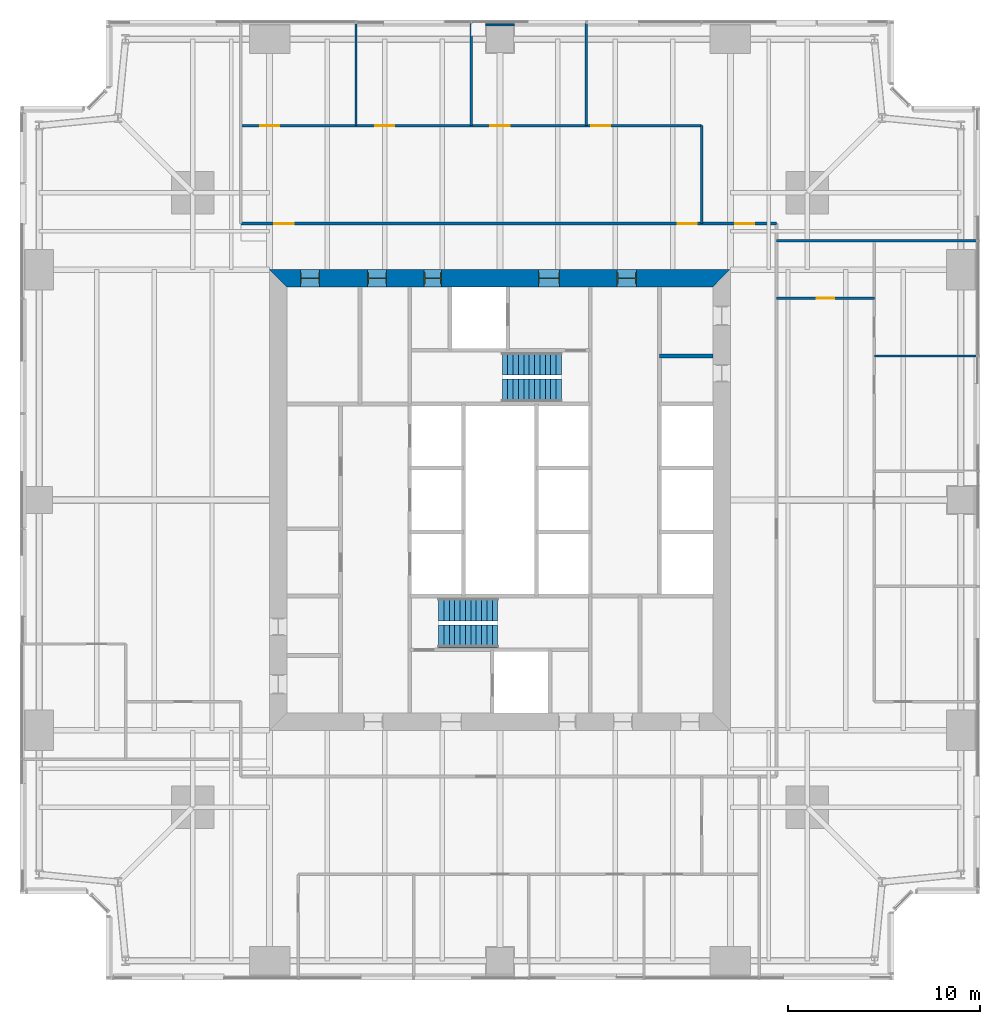
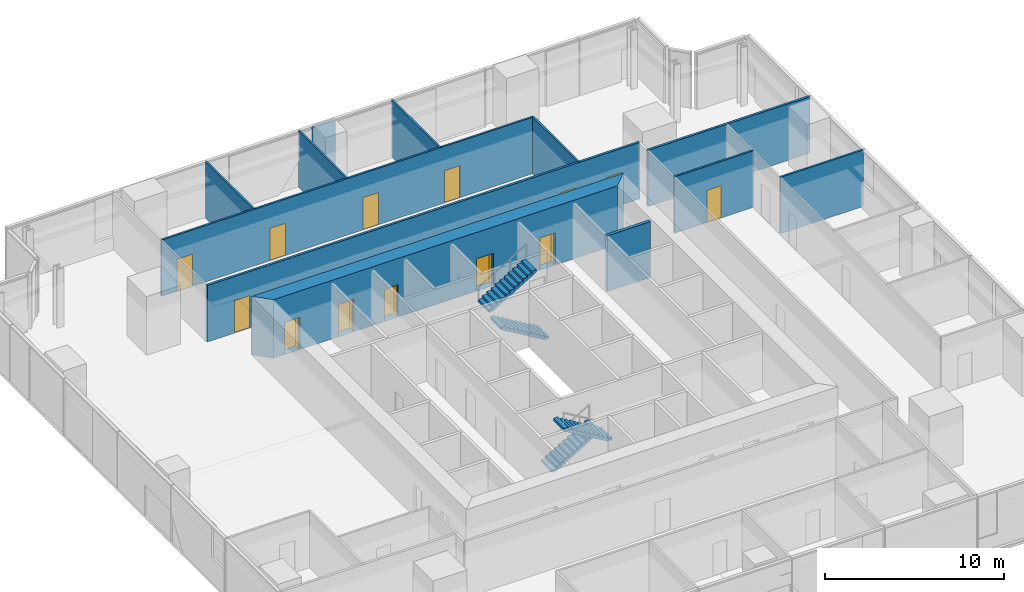
# One storey, part 11 of 13: 13 doors, 12 walls, 4 stair flights, 13 openings, 2 elements without a shape of their own.
"""IFC4 building model written with IfcOpenShell, lengths in metres."""

from ifc_helpers import new_model, si_unit, direction, frame, frame_2d, origin, place, context, subcontext, project, spatial, polyline, rectangle, outline, extrude, material, layer, layer_set, type_object, element, fill, aggregate, save


model = new_model("IFC4")

# Units and contexts
model_context = context("Model", 3, precision=1e-05, world=origin(), true_north=direction((0.0, 1.0)))
body_context = subcontext(model_context, "Body", "Model", "MODEL_VIEW")
ifc_project = project(units=[si_unit("LENGTHUNIT", "METRE"), si_unit("AREAUNIT", "SQUARE_METRE"), si_unit("VOLUMEUNIT", "CUBIC_METRE"), si_unit("PLANEANGLEUNIT", "RADIAN"), si_unit("MASSUNIT", "GRAM", prefix="KILO")], contexts=[model_context])

# Site, building, storey
site_placement = place(None, origin())
site = spatial("IfcSite", under=ifc_project, at=site_placement, CompositionType="ELEMENT")
building_placement = place(site_placement, origin())
building = spatial("IfcBuilding", under=site, at=building_placement, Name="Fenwick Lantern Interchange", CompositionType="ELEMENT")
storey_placement = place(building_placement, frame((0.0, 0.0, 106.39990234375)))
storey = spatial("IfcBuildingStorey", under=building, at=storey_placement, Name="L24", CompositionType="ELEMENT", Elevation=106.39990234375)

# Walls
ifc_material_1 = material(Name="Fire-rated gypsum board encasement on steel studs, 2 hour", Category="steel")
ifc_layer_1 = layer(ifc_material_1, 1.5)
ifc_layer_set_1 = layer_set([ifc_layer_1], Name="COLUMN PIER 1500")
wall_type_1 = type_object("IfcWallType", Name="COLUMN PIER 1500", PredefinedType="PARTITIONING", material=ifc_layer_set_1)
wall_1_placement = place(storey_placement, frame((25.0, 49.800048828125, 0.0), z_axis=(0.0, 0.0, 1.0), x_axis=(0.0, -1.0, 0.0)))
element("IfcWall", 1, at=wall_1_placement, inside=storey, type_object=wall_type_1, Name="L24/W/PIER/CN3", PredefinedType="PARTITIONING", context=body_context, shape_type="SweptSolid", body=[
    extrude(rectangle(XDim=0.10009765625, YDim=1.5, at=frame_2d((0.050048828125, 0.0))), origin(), (0.0, 0.0, 1.0), 3.85009765625),
])
ifc_material_2 = material(Name="Concrete masonry ASTM C90 Grade N", Category="masonry")
ifc_layer_2 = layer(ifc_material_2, 0.199951171875)
ifc_layer_set_2 = layer_set([ifc_layer_2], Name="Concrete masonry ASTM C90 Grade N")
wall_type_2 = type_object("IfcWallType", Name="CORE PARTITION 200", PredefinedType="PARTITIONING", material=ifc_layer_set_2)
wall_2_placement = place(storey_placement, frame((36.10009765625, 32.5, 0.0), z_axis=(0.0, 0.0, 1.0), x_axis=(-1.0, 0.0, 0.0)))
element("IfcWall", 2, at=wall_2_placement, inside=storey, type_object=wall_type_2, Name="L24/W/COREN/p1", PredefinedType="PARTITIONING", context=body_context, shape_type="SweptSolid", body=[
    extrude(rectangle(XDim=2.800048828125, YDim=0.199951171875, at=frame_2d((1.39990234375, 0.0))), origin(), (0.0, 0.0, 1.0), 3.800048828125),
])

# Wall, openings, doors
ifc_material_3 = material(Name="Concrete f'c 70 MPa", Category="concrete")
ifc_layer_3 = layer(ifc_material_3, 0.89990234375)
ifc_layer_set_3 = layer_set([ifc_layer_3], Name="CORE WALL 900")
wall_type_3 = type_object("IfcWallType", Name="CORE WALL 900", PredefinedType="SHEAR", material=ifc_layer_set_3)
wall_3_placement = place(storey_placement, frame((37.0, 36.550048828125, 0.0), z_axis=(0.0, 0.0, 1.0), x_axis=(-1.0, 0.0, 0.0)))
wall_3 = element("IfcWall", 3, at=wall_3_placement, inside=storey, type_object=wall_type_3, Name="L24/CORE/N", PredefinedType="SHEAR", context=body_context, shape_type="SweptSolid", body=[
    extrude(outline(polyline([(0.0, -0.449951171875), (24.0, -0.449951171875), (23.10009765625, 0.449951171875), (0.89990234375, 0.449951171875), (0.0, -0.449951171875)])), origin(), (0.0, 0.0, 1.0), 4.0),
])
opening_1_placement = place(wall_3_placement, frame((4.89990234375, 0.0, 0.0)))
opening_1 = element("IfcOpeningElement", 4, at=opening_1_placement, cuts=wall_3, Name="Opening L24-D011", PredefinedType="OPENING", context=body_context, shape_type="SweptSolid", body=[
    extrude(rectangle(XDim=1.0, YDim=2.199951171875, at=frame_2d((0.5, 1.10009765625))), frame((0.0, 0.4599609375, 0.0), z_axis=(0.0, -1.0, 0.0), x_axis=(1.0, 0.0, 0.0)), (0.0, 0.0, 1.0), 0.919921875),
])
opening_2_placement = place(wall_3_placement, frame((8.89990234375, 0.0, 0.0)))
opening_2 = element("IfcOpeningElement", 5, at=opening_2_placement, cuts=wall_3, Name="Opening L24-D012", PredefinedType="OPENING", context=body_context, shape_type="SweptSolid", body=[
    extrude(rectangle(XDim=1.10009765625, YDim=2.199951171875, at=frame_2d((0.550048828125, 1.10009765625))), frame((0.0, 0.4599609375, 0.0), z_axis=(0.0, -1.0, 0.0), x_axis=(1.0, 0.0, 0.0)), (0.0, 0.0, 1.0), 0.919921875),
])
opening_3_placement = place(wall_3_placement, frame((15.050048828125, 0.0, 0.0)))
opening_3 = element("IfcOpeningElement", 6, at=opening_3_placement, cuts=wall_3, Name="Opening L24-D014", PredefinedType="OPENING", context=body_context, shape_type="SweptSolid", body=[
    extrude(rectangle(XDim=0.89990234375, YDim=2.199951171875, at=frame_2d((0.449951171875, 1.10009765625))), frame((0.0, 0.4599609375, 0.0), z_axis=(0.0, -1.0, 0.0), x_axis=(1.0, 0.0, 0.0)), (0.0, 0.0, 1.0), 0.919921875),
])
opening_4_placement = place(wall_3_placement, frame((17.89990234375, 0.0, 0.0)))
opening_4 = element("IfcOpeningElement", 7, at=opening_4_placement, cuts=wall_3, Name="Opening L24-D015", PredefinedType="OPENING", context=body_context, shape_type="SweptSolid", body=[
    extrude(rectangle(XDim=1.0, YDim=2.199951171875, at=frame_2d((0.5, 1.10009765625))), frame((0.0, 0.4599609375, 0.0), z_axis=(0.0, -1.0, 0.0), x_axis=(1.0, 0.0, 0.0)), (0.0, 0.0, 1.0), 0.919921875),
])
opening_5_placement = place(wall_3_placement, frame((21.39990234375, 0.0, 0.0)))
opening_5 = element("IfcOpeningElement", 8, at=opening_5_placement, cuts=wall_3, Name="Opening L24-D016", PredefinedType="OPENING", context=body_context, shape_type="SweptSolid", body=[
    extrude(rectangle(XDim=1.0, YDim=2.199951171875, at=frame_2d((0.5, 1.10009765625))), frame((0.0, 0.4599609375, 0.0), z_axis=(0.0, -1.0, 0.0), x_axis=(1.0, 0.0, 0.0)), (0.0, 0.0, 1.0), 0.919921875),
])
ifc_material_4 = material(Name="Steel door and frame", Category="steel")
door_type_1 = type_object("IfcDoorType", Name="CORE LOBBY DOOR 1000 X 2200", OperationType="SINGLE_SWING_LEFT", PredefinedType="DOOR", material=ifc_material_4)
door_1_placement = place(opening_1_placement, origin())
door_1 = element("IfcDoor", 9, at=door_1_placement, inside=storey, type_object=door_type_1, Name="Core lobby door", OperationType="SINGLE_SWING_LEFT", OverallHeight=2.199951171875, OverallWidth=1.0, PredefinedType="DOOR", context=body_context, shape_type="SweptSolid", body=[
    extrude(rectangle(XDim=1.0, YDim=2.199951171875, at=frame_2d((0.5, 1.10009765625))), frame((0.0, 0.02490234375, 0.0), z_axis=(0.0, -1.0, 0.0), x_axis=(1.0, 0.0, 0.0)), (0.0, 0.0, 1.0), 0.050048828125),
    extrude(outline(polyline([(0.0, 0.0), (0.0400390625, 0.0), (0.0400390625, 2.159912109375), (0.9599609375, 2.159912109375), (0.9599609375, 0.0), (1.0, 0.0), (1.0, 2.199951171875), (0.0, 2.199951171875), (0.0, 0.0)])), frame((0.0, 0.300048828125, 0.0), z_axis=(0.0, -1.0, 0.0), x_axis=(1.0, 0.0, 0.0)), (0.0, 0.0, 1.0), 0.60009765625),
])
fill(opening_1, door_1)
door_type_2 = type_object("IfcDoorType", Name="FIRE LOBBY DOOR 1100 X 2200", OperationType="SINGLE_SWING_LEFT", PredefinedType="DOOR", material=ifc_material_4)
door_2_placement = place(opening_2_placement, origin())
door_2 = element("IfcDoor", 10, at=door_2_placement, inside=storey, type_object=door_type_2, Name="Fire lobby door", OperationType="SINGLE_SWING_LEFT", OverallHeight=2.199951171875, OverallWidth=1.10009765625, PredefinedType="DOOR", context=body_context, shape_type="SweptSolid", body=[
    extrude(rectangle(XDim=1.10009765625, YDim=2.199951171875, at=frame_2d((0.550048828125, 1.10009765625))), frame((0.0, 0.02490234375, 0.0), z_axis=(0.0, -1.0, 0.0), x_axis=(1.0, 0.0, 0.0)), (0.0, 0.0, 1.0), 0.050048828125),
    extrude(outline(polyline([(0.0, 0.0), (0.0400390625, 0.0), (0.0400390625, 2.159912109375), (1.06005859375, 2.159912109375), (1.06005859375, 0.0), (1.10009765625, 0.0), (1.10009765625, 2.199951171875), (0.0, 2.199951171875), (0.0, 0.0)])), frame((0.0, 0.300048828125, 0.0), z_axis=(0.0, -1.0, 0.0), x_axis=(1.0, 0.0, 0.0)), (0.0, 0.0, 1.0), 0.60009765625),
])
fill(opening_2, door_2)
door_type_3 = type_object("IfcDoorType", Name="SERVICE DOOR 900 X 2200", OperationType="SINGLE_SWING_LEFT", PredefinedType="DOOR", material=ifc_material_4)
door_3_placement = place(opening_3_placement, origin())
door_3 = element("IfcDoor", 11, at=door_3_placement, inside=storey, type_object=door_type_3, Name="Service door", OperationType="SINGLE_SWING_LEFT", OverallHeight=2.199951171875, OverallWidth=0.89990234375, PredefinedType="DOOR", context=body_context, shape_type="SweptSolid", body=[
    extrude(rectangle(XDim=0.89990234375, YDim=2.199951171875, at=frame_2d((0.449951171875, 1.10009765625))), frame((0.0, 0.02490234375, 0.0), z_axis=(0.0, -1.0, 0.0), x_axis=(1.0, 0.0, 0.0)), (0.0, 0.0, 1.0), 0.050048828125),
    extrude(outline(polyline([(0.0, 0.0), (0.0400390625, 0.0), (0.0400390625, 2.159912109375), (0.85986328125, 2.159912109375), (0.85986328125, 0.0), (0.89990234375, 0.0), (0.89990234375, 2.199951171875), (0.0, 2.199951171875), (0.0, 0.0)])), frame((0.0, 0.300048828125, 0.0), z_axis=(0.0, -1.0, 0.0), x_axis=(1.0, 0.0, 0.0)), (0.0, 0.0, 1.0), 0.60009765625),
])
fill(opening_3, door_3)
ifc_material_5 = material(Name="Hardwood door and steel frame", Category="steel")
door_type_4 = type_object("IfcDoorType", Name="WC DOOR 1000 X 2200", OperationType="SINGLE_SWING_LEFT", PredefinedType="DOOR", material=ifc_material_5)
door_4_placement = place(opening_4_placement, origin())
door_4 = element("IfcDoor", 12, at=door_4_placement, inside=storey, type_object=door_type_4, Name="Wc door", OperationType="SINGLE_SWING_RIGHT", OverallHeight=2.199951171875, OverallWidth=1.0, PredefinedType="DOOR", context=body_context, shape_type="SweptSolid", body=[
    extrude(rectangle(XDim=1.0, YDim=2.199951171875, at=frame_2d((0.5, 1.10009765625))), frame((0.0, 0.02490234375, 0.0), z_axis=(0.0, -1.0, 0.0), x_axis=(1.0, 0.0, 0.0)), (0.0, 0.0, 1.0), 0.050048828125),
    extrude(outline(polyline([(0.0, 0.0), (0.0400390625, 0.0), (0.0400390625, 2.159912109375), (0.9599609375, 2.159912109375), (0.9599609375, 0.0), (1.0, 0.0), (1.0, 2.199951171875), (0.0, 2.199951171875), (0.0, 0.0)])), frame((0.0, 0.300048828125, 0.0), z_axis=(0.0, -1.0, 0.0), x_axis=(1.0, 0.0, 0.0)), (0.0, 0.0, 1.0), 0.60009765625),
])
fill(opening_4, door_4)
door_5_placement = place(opening_5_placement, origin())
door_5 = element("IfcDoor", 13, at=door_5_placement, inside=storey, type_object=door_type_4, Name="Wc door", OperationType="SINGLE_SWING_RIGHT", OverallHeight=2.199951171875, OverallWidth=1.0, PredefinedType="DOOR", context=body_context, shape_type="SweptSolid", body=[
    extrude(rectangle(XDim=1.0, YDim=2.199951171875, at=frame_2d((0.5, 1.10009765625))), frame((0.0, 0.02490234375, 0.0), z_axis=(0.0, -1.0, 0.0), x_axis=(1.0, 0.0, 0.0)), (0.0, 0.0, 1.0), 0.050048828125),
    extrude(outline(polyline([(0.0, 0.0), (0.0400390625, 0.0), (0.0400390625, 2.159912109375), (0.9599609375, 2.159912109375), (0.9599609375, 0.0), (1.0, 0.0), (1.0, 2.199951171875), (0.0, 2.199951171875), (0.0, 0.0)])), frame((0.0, 0.300048828125, 0.0), z_axis=(0.0, -1.0, 0.0), x_axis=(1.0, 0.0, 0.0)), (0.0, 0.0, 1.0), 0.60009765625),
])
fill(opening_5, door_5)

ifc_material_6 = material(Name="Gypsum board on steel studs, 1 hour", Category="steel")
ifc_layer_4 = layer(ifc_material_6, 0.14990234375)
ifc_layer_set_4 = layer_set([ifc_layer_4], Name="CORRIDOR WALL 150")
wall_type_4 = type_object("IfcWallType", Name="CORRIDOR WALL 150", PredefinedType="PARTITIONING", material=ifc_layer_set_4)
wall_4_placement = place(storey_placement, frame((39.39990234375, 39.39990234375, 0.0), z_axis=(0.0, 0.0, 1.0), x_axis=(-1.0, 0.0, 0.0)))
wall_4 = element("IfcWall", 14, at=wall_4_placement, inside=storey, type_object=wall_type_4, Name="L24/W/OFF/N/CW2", PredefinedType="PARTITIONING", context=body_context, shape_type="SweptSolid", body=[
    extrude(rectangle(XDim=27.89990234375, YDim=0.14990234375, at=frame_2d((13.949951171875, 0.0))), origin(), (0.0, 0.0, 1.0), 3.85009765625),
])
opening_6_placement = place(wall_4_placement, frame((4.14990234375, 0.0, 0.0)))
opening_6 = element("IfcOpeningElement", 15, at=opening_6_placement, cuts=wall_4, Name="Opening L24-D031", PredefinedType="OPENING", context=body_context, shape_type="SweptSolid", body=[
    extrude(rectangle(XDim=1.0, YDim=2.199951171875, at=frame_2d((0.5, 1.10009765625))), frame((0.0, 0.0849609375, 0.0), z_axis=(0.0, -1.0, 0.0), x_axis=(1.0, 0.0, 0.0)), (0.0, 0.0, 1.0), 0.169921875),
])
opening_7_placement = place(wall_4_placement, frame((25.14990234375, 0.0, 0.0)))
opening_7 = element("IfcOpeningElement", 16, at=opening_7_placement, cuts=wall_4, Name="Opening L24-D032", PredefinedType="OPENING", context=body_context, shape_type="SweptSolid", body=[
    extrude(rectangle(XDim=1.0, YDim=2.199951171875, at=frame_2d((0.5, 1.10009765625))), frame((0.0, 0.0849609375, 0.0), z_axis=(0.0, -1.0, 0.0), x_axis=(1.0, 0.0, 0.0)), (0.0, 0.0, 1.0), 0.169921875),
])
opening_8_placement = place(wall_4_placement, frame((1.14990234375, 0.0, 0.0)))
opening_8 = element("IfcOpeningElement", 17, at=opening_8_placement, cuts=wall_4, Name="Opening L24-D034", PredefinedType="OPENING", context=body_context, shape_type="SweptSolid", body=[
    extrude(rectangle(XDim=1.0, YDim=2.199951171875, at=frame_2d((0.5, 1.10009765625))), frame((0.0, 0.0849609375, 0.0), z_axis=(0.0, -1.0, 0.0), x_axis=(1.0, 0.0, 0.0)), (0.0, 0.0, 1.0), 0.169921875),
])
door_type_5 = type_object("IfcDoorType", Name="MEETING ROOM DOOR 1000 X 2200", OperationType="SINGLE_SWING_LEFT", PredefinedType="DOOR", material=ifc_material_5)
door_6_placement = place(opening_8_placement, origin())
door_6 = element("IfcDoor", 18, at=door_6_placement, inside=storey, type_object=door_type_5, Name="Meeting room door", OperationType="SINGLE_SWING_LEFT", OverallHeight=2.199951171875, OverallWidth=1.0, PredefinedType="DOOR", context=body_context, shape_type="SweptSolid", body=[
    extrude(rectangle(XDim=1.0, YDim=2.199951171875, at=frame_2d((0.5, 1.10009765625))), frame((0.0, 0.02490234375, 0.0), z_axis=(0.0, -1.0, 0.0), x_axis=(1.0, 0.0, 0.0)), (0.0, 0.0, 1.0), 0.050048828125),
])
fill(opening_8, door_6)
door_type_6 = type_object("IfcDoorType", Name="SUITE ENTRANCE DOOR 1000 X 2200", OperationType="SINGLE_SWING_LEFT", PredefinedType="DOOR", material=ifc_material_4)
door_7_placement = place(opening_6_placement, origin())
door_7 = element("IfcDoor", 19, at=door_7_placement, inside=storey, type_object=door_type_6, Name="Suite entrance door", OperationType="SINGLE_SWING_LEFT", OverallHeight=2.199951171875, OverallWidth=1.0, PredefinedType="DOOR", context=body_context, shape_type="SweptSolid", body=[
    extrude(rectangle(XDim=1.0, YDim=2.199951171875, at=frame_2d((0.5, 1.10009765625))), frame((0.0, 0.02490234375, 0.0), z_axis=(0.0, -1.0, 0.0), x_axis=(1.0, 0.0, 0.0)), (0.0, 0.0, 1.0), 0.050048828125),
])
fill(opening_6, door_7)
door_8_placement = place(opening_7_placement, origin())
door_8 = element("IfcDoor", 20, at=door_8_placement, inside=storey, type_object=door_type_6, Name="Suite entrance door", OperationType="SINGLE_SWING_RIGHT", OverallHeight=2.199951171875, OverallWidth=1.0, PredefinedType="DOOR", context=body_context, shape_type="SweptSolid", body=[
    extrude(rectangle(XDim=1.0, YDim=2.199951171875, at=frame_2d((0.5, 1.10009765625))), frame((0.0, 0.02490234375, 0.0), z_axis=(0.0, -1.0, 0.0), x_axis=(1.0, 0.0, 0.0)), (0.0, 0.0, 1.0), 0.050048828125),
])
fill(opening_7, door_8)

# Wall
ifc_material_7 = material(Name="Gypsum board on steel studs, acoustic", Category="steel")
ifc_layer_5 = layer(ifc_material_7, 0.125)
ifc_layer_set_5 = layer_set([ifc_layer_5], Name="OFFICE PARTITION 125")
wall_type_5 = type_object("IfcWallType", Name="OFFICE PARTITION 125", PredefinedType="PARTITIONING", material=ifc_layer_set_5)
wall_5_placement = place(storey_placement, frame((49.85009765625, 32.5, 0.0), z_axis=(0.0, 0.0, 1.0), x_axis=(-1.0, 0.0, 0.0)))
element("IfcWall", 21, at=wall_5_placement, inside=storey, type_object=wall_type_5, Name="L24/W/OFF/E/X325-1", PredefinedType="PARTITIONING", context=body_context, shape_type="SweptSolid", body=[
    extrude(rectangle(XDim=5.35009765625, YDim=0.125, at=frame_2d((2.675048828125, 0.0))), origin(), (0.0, 0.0, 1.0), 3.85009765625),
])

# Wall, opening, door
wall_6_placement = place(storey_placement, frame((44.5, 35.5, 0.0), z_axis=(0.0, 0.0, 1.0), x_axis=(-1.0, 0.0, 0.0)))
wall_6 = element("IfcWall", 22, at=wall_6_placement, inside=storey, type_object=wall_type_5, Name="L24/W/OFF/E/X355-1", PredefinedType="PARTITIONING", context=body_context, shape_type="SweptSolid", body=[
    extrude(rectangle(XDim=5.10009765625, YDim=0.125, at=frame_2d((2.550048828125, 0.0))), origin(), (0.0, 0.0, 1.0), 3.85009765625),
])
opening_9_placement = place(wall_6_placement, frame((2.10009765625, 0.0, 0.0)))
opening_9 = element("IfcOpeningElement", 23, at=opening_9_placement, cuts=wall_6, Name="Opening L24-D030", PredefinedType="OPENING", context=body_context, shape_type="SweptSolid", body=[
    extrude(rectangle(XDim=0.89990234375, YDim=2.199951171875, at=frame_2d((0.449951171875, 1.10009765625))), frame((0.0, 0.072509765625, 0.0), z_axis=(0.0, -1.0, 0.0), x_axis=(1.0, 0.0, 0.0)), (0.0, 0.0, 1.0), 0.14501953125),
])
door_type_7 = type_object("IfcDoorType", Name="OFFICE DOOR 900 X 2200", OperationType="SINGLE_SWING_LEFT", PredefinedType="DOOR", material=ifc_material_5)
door_9_placement = place(opening_9_placement, frame((0.89990234375, 0.0, 0.0), z_axis=(0.0, 0.0, 1.0), x_axis=(-1.0, 0.0, 0.0)))
door_9 = element("IfcDoor", 24, at=door_9_placement, inside=storey, type_object=door_type_7, Name="Office door", OperationType="SINGLE_SWING_RIGHT", OverallHeight=2.199951171875, OverallWidth=0.89990234375, PredefinedType="DOOR", context=body_context, shape_type="SweptSolid", body=[
    extrude(rectangle(XDim=0.89990234375, YDim=2.199951171875, at=frame_2d((0.449951171875, 1.10009765625))), frame((0.0, 0.02490234375, 0.0), z_axis=(0.0, -1.0, 0.0), x_axis=(1.0, 0.0, 0.0)), (0.0, 0.0, 1.0), 0.050048828125),
])
fill(opening_9, door_9)

# Walls
wall_7_placement = place(storey_placement, frame((35.5, 44.5, 0.0), z_axis=(0.0, 0.0, 1.0), x_axis=(0.0, -1.0, 0.0)))
element("IfcWall", 25, at=wall_7_placement, inside=storey, type_object=wall_type_5, Name="L24/W/OFF/N/X145-1", PredefinedType="PARTITIONING", context=body_context, shape_type="SweptSolid", body=[
    extrude(rectangle(XDim=5.10009765625, YDim=0.125, at=frame_2d((2.550048828125, 0.0))), origin(), (0.0, 0.0, 1.0), 3.85009765625),
])
for number, where, z_axis, x_axis, name in (
    (26, (29.5, 49.85009765625, 0.0), (0.0, 0.0, 1.0), (0.0, -1.0, 0.0), "L24/W/OFF/N/X205-1"),
    (27, (23.5, 49.85009765625, 0.0), (0.0, 0.0, 1.0), (0.0, -1.0, 0.0), "L24/W/OFF/N/X265-1"),
    (28, (17.5, 49.85009765625, 0.0), (0.0, 0.0, 1.0), (0.0, -1.0, 0.0), "L24/W/OFF/N/X325-1"),
):
    element("IfcWall", number, at=place(storey_placement, frame(where, z_axis=z_axis, x_axis=x_axis)), inside=storey, type_object=wall_type_5, Name=name, PredefinedType="PARTITIONING", context=body_context, shape_type="SweptSolid", body=[
        extrude(rectangle(XDim=5.35009765625, YDim=0.125, at=frame_2d((2.675048828125, 0.0))), origin(), (0.0, 0.0, 1.0), 3.85009765625),
    ])

# Wall, openings, doors
wall_8_placement = place(storey_placement, frame((35.5, 44.5, 0.0), z_axis=(0.0, 0.0, 1.0), x_axis=(-1.0, 0.0, 0.0)))
wall_8 = element("IfcWall", 29, at=wall_8_placement, inside=storey, type_object=wall_type_5, Name="L24/W/OFF/N/Y55-1", PredefinedType="PARTITIONING", context=body_context, shape_type="SweptSolid", body=[
    extrude(rectangle(XDim=24.0, YDim=0.125, at=frame_2d((12.0, 0.0))), origin(), (0.0, 0.0, 1.0), 3.85009765625),
])
opening_10_placement = place(wall_8_placement, frame((4.75, 0.0, 0.0)))
opening_10 = element("IfcOpeningElement", 30, at=opening_10_placement, cuts=wall_8, Name="Opening L24-D033", PredefinedType="OPENING", context=body_context, shape_type="SweptSolid", body=[
    extrude(rectangle(XDim=1.0, YDim=2.199951171875, at=frame_2d((0.5, 1.10009765625))), frame((0.0, 0.072509765625, 0.0), z_axis=(0.0, -1.0, 0.0), x_axis=(1.0, 0.0, 0.0)), (0.0, 0.0, 1.0), 0.14501953125),
])
opening_11_placement = place(wall_8_placement, frame((10.0, 0.0, 0.0)))
opening_11 = element("IfcOpeningElement", 31, at=opening_11_placement, cuts=wall_8, Name="Opening L24-D035", PredefinedType="OPENING", context=body_context, shape_type="SweptSolid", body=[
    extrude(rectangle(XDim=1.0, YDim=2.199951171875, at=frame_2d((0.5, 1.10009765625))), frame((0.0, 0.072509765625, 0.0), z_axis=(0.0, -1.0, 0.0), x_axis=(1.0, 0.0, 0.0)), (0.0, 0.0, 1.0), 0.14501953125),
])
opening_12_placement = place(wall_8_placement, frame((16.0, 0.0, 0.0)))
opening_12 = element("IfcOpeningElement", 32, at=opening_12_placement, cuts=wall_8, Name="Opening L24-D036", PredefinedType="OPENING", context=body_context, shape_type="SweptSolid", body=[
    extrude(rectangle(XDim=1.0, YDim=2.199951171875, at=frame_2d((0.5, 1.10009765625))), frame((0.0, 0.072509765625, 0.0), z_axis=(0.0, -1.0, 0.0), x_axis=(1.0, 0.0, 0.0)), (0.0, 0.0, 1.0), 0.14501953125),
])
opening_13_placement = place(wall_8_placement, frame((22.0, 0.0, 0.0)))
opening_13 = element("IfcOpeningElement", 33, at=opening_13_placement, cuts=wall_8, Name="Opening L24-D037", PredefinedType="OPENING", context=body_context, shape_type="SweptSolid", body=[
    extrude(rectangle(XDim=1.0, YDim=2.199951171875, at=frame_2d((0.5, 1.10009765625))), frame((0.0, 0.072509765625, 0.0), z_axis=(0.0, -1.0, 0.0), x_axis=(1.0, 0.0, 0.0)), (0.0, 0.0, 1.0), 0.14501953125),
])
door_10_placement = place(opening_10_placement, origin())
door_10 = element("IfcDoor", 34, at=door_10_placement, inside=storey, type_object=door_type_5, Name="Meeting room door", OperationType="SINGLE_SWING_LEFT", OverallHeight=2.199951171875, OverallWidth=1.0, PredefinedType="DOOR", context=body_context, shape_type="SweptSolid", body=[
    extrude(rectangle(XDim=1.0, YDim=2.199951171875, at=frame_2d((0.5, 1.10009765625))), frame((0.0, 0.02490234375, 0.0), z_axis=(0.0, -1.0, 0.0), x_axis=(1.0, 0.0, 0.0)), (0.0, 0.0, 1.0), 0.050048828125),
])
fill(opening_10, door_10)
door_11_placement = place(opening_11_placement, frame((1.0, 0.0, 0.0), z_axis=(0.0, 0.0, 1.0), x_axis=(-1.0, 0.0, 0.0)))
door_11 = element("IfcDoor", 35, at=door_11_placement, inside=storey, type_object=door_type_5, Name="Meeting room door", OperationType="SINGLE_SWING_LEFT", OverallHeight=2.199951171875, OverallWidth=1.0, PredefinedType="DOOR", context=body_context, shape_type="SweptSolid", body=[
    extrude(rectangle(XDim=1.0, YDim=2.199951171875, at=frame_2d((0.5, 1.10009765625))), frame((0.0, 0.02490234375, 0.0), z_axis=(0.0, -1.0, 0.0), x_axis=(1.0, 0.0, 0.0)), (0.0, 0.0, 1.0), 0.050048828125),
])
fill(opening_11, door_11)
door_12_placement = place(opening_12_placement, frame((1.0, 0.0, 0.0), z_axis=(0.0, 0.0, 1.0), x_axis=(-1.0, 0.0, 0.0)))
door_12 = element("IfcDoor", 36, at=door_12_placement, inside=storey, type_object=door_type_5, Name="Meeting room door", OperationType="SINGLE_SWING_LEFT", OverallHeight=2.199951171875, OverallWidth=1.0, PredefinedType="DOOR", context=body_context, shape_type="SweptSolid", body=[
    extrude(rectangle(XDim=1.0, YDim=2.199951171875, at=frame_2d((0.5, 1.10009765625))), frame((0.0, 0.02490234375, 0.0), z_axis=(0.0, -1.0, 0.0), x_axis=(1.0, 0.0, 0.0)), (0.0, 0.0, 1.0), 0.050048828125),
])
fill(opening_12, door_12)
door_13_placement = place(opening_13_placement, frame((1.0, 0.0, 0.0), z_axis=(0.0, 0.0, 1.0), x_axis=(-1.0, 0.0, 0.0)))
door_13 = element("IfcDoor", 37, at=door_13_placement, inside=storey, type_object=door_type_5, Name="Meeting room door", OperationType="SINGLE_SWING_LEFT", OverallHeight=2.199951171875, OverallWidth=1.0, PredefinedType="DOOR", context=body_context, shape_type="SweptSolid", body=[
    extrude(rectangle(XDim=1.0, YDim=2.199951171875, at=frame_2d((0.5, 1.10009765625))), frame((0.0, 0.02490234375, 0.0), z_axis=(0.0, -1.0, 0.0), x_axis=(1.0, 0.0, 0.0)), (0.0, 0.0, 1.0), 0.050048828125),
])
fill(opening_13, door_13)

# Wall
ifc_material_8 = material(Name="Gypsum board on steel studs, 1 hour acoustic", Category="steel")
ifc_layer_6 = layer(ifc_material_8, 0.14990234375)
ifc_layer_set_6 = layer_set([ifc_layer_6], Name="TENANT WALL 150")
wall_type_6 = type_object("IfcWallType", Name="TENANT WALL 150", PredefinedType="PARTITIONING", material=ifc_layer_set_6)
wall_9_placement = place(storey_placement, frame((49.85009765625, 38.5, 0.0), z_axis=(0.0, 0.0, 1.0), x_axis=(-1.0, 0.0, 0.0)))
element("IfcWall", 38, at=wall_9_placement, inside=storey, type_object=wall_type_6, Name="L24/W/OFF/N/BACK", PredefinedType="PARTITIONING", context=body_context, shape_type="SweptSolid", body=[
    extrude(rectangle(XDim=10.4501953125, YDim=0.14990234375, at=frame_2d((5.22509765625, 0.0))), origin(), (0.0, 0.0, 1.0), 3.85009765625),
])

# Stair, stair flights
ifc_material_9 = material(Name="Precast concrete f'c 35 MPa", Category="concrete")
stair_type = type_object("IfcStairType", Name="EXIT STAIR 1200", PredefinedType="HALF_TURN_STAIR", material=ifc_material_9)
stair_1_placement = place(storey_placement, origin())
stair_1 = element("IfcStair", 39, at=stair_1_placement, inside=storey, type_object=stair_type, Name="Exit stair ST1", PredefinedType="HALF_TURN_STAIR")
stair_flight_type = type_object("IfcStairFlightType", Name="STAIR FLIGHT 1200", PredefinedType="STRAIGHT", material=ifc_material_9)
stair_flight_1_placement = place(storey_placement, frame((21.800048828125, 19.300048828125, 0.0), z_axis=(0.0, 0.0, 1.0), x_axis=(1.0, 0.0, 0.0)))
stair_flight_1 = element("IfcStairFlight", 40, at=stair_flight_1_placement, type_object=stair_flight_type, Name="ST1 flight 1", NumberOfRisers=12, NumberOfTreads=11, PredefinedType="STRAIGHT", RiserHeight=0.166666667, TreadLength=0.28, context=body_context, shape_type="SweptSolid", body=[
    extrude(outline(polyline([(0.0, 0.0), (0.0, 0.166748046875), (0.280029296875, 0.166748046875), (0.280029296875, 0.333251953125), (0.56005859375, 0.333251953125), (0.56005859375, 0.5), (0.840087890625, 0.5), (0.840087890625, 0.666748046875), (1.1201171875, 0.666748046875), (1.1201171875, 0.833251953125), (1.39990234375, 0.833251953125), (1.39990234375, 1.0), (1.679931640625, 1.0), (1.679931640625, 1.166748046875), (1.9599609375, 1.166748046875), (1.9599609375, 1.333251953125), (2.239990234375, 1.333251953125), (2.239990234375, 1.5), (2.52001953125, 1.5), (2.52001953125, 1.666748046875), (2.800048828125, 1.666748046875), (2.800048828125, 1.833251953125), (3.080078125, 1.833251953125), (3.080078125, 2.0), (3.080078125, 1.658935546875), (0.29296875, 0.0), (0.0, 0.0)])), frame((0.0, 0.60009765625, 0.0), z_axis=(0.0, -1.0, 0.0), x_axis=(1.0, 0.0, 0.0)), (0.0, 0.0, 1.0), 1.199951171875),
])
stair_flight_2_placement = place(storey_placement, frame((24.8798828125, 17.89990234375, 2.0), z_axis=(0.0, 0.0, 1.0), x_axis=(-1.0, 0.0, 0.0)))
stair_flight_2 = element("IfcStairFlight", 41, at=stair_flight_2_placement, type_object=stair_flight_type, Name="ST1 flight 2", NumberOfRisers=12, NumberOfTreads=11, PredefinedType="STRAIGHT", RiserHeight=0.166666667, TreadLength=0.28, context=body_context, shape_type="SweptSolid", body=[
    extrude(outline(polyline([(0.0, 0.0), (0.0, 0.166748046875), (0.280029296875, 0.166748046875), (0.280029296875, 0.333251953125), (0.56005859375, 0.333251953125), (0.56005859375, 0.5), (0.840087890625, 0.5), (0.840087890625, 0.666748046875), (1.1201171875, 0.666748046875), (1.1201171875, 0.833251953125), (1.39990234375, 0.833251953125), (1.39990234375, 1.0), (1.679931640625, 1.0), (1.679931640625, 1.166748046875), (1.9599609375, 1.166748046875), (1.9599609375, 1.333251953125), (2.239990234375, 1.333251953125), (2.239990234375, 1.5), (2.52001953125, 1.5), (2.52001953125, 1.666748046875), (2.800048828125, 1.666748046875), (2.800048828125, 1.833251953125), (3.080078125, 1.833251953125), (3.080078125, 2.0), (3.080078125, 1.658935546875), (0.29296875, 0.0), (0.0, 0.0)])), frame((0.0, 0.60009765625, 0.0), z_axis=(0.0, -1.0, 0.0), x_axis=(1.0, 0.0, 0.0)), (0.0, 0.0, 1.0), 1.199951171875),
])
aggregate(stair_1, [stair_flight_1, stair_flight_2])

stair_2_placement = place(storey_placement, origin())
stair_2 = element("IfcStair", 42, at=stair_2_placement, inside=storey, type_object=stair_type, Name="Exit stair ST2", PredefinedType="HALF_TURN_STAIR")
stair_flight_3_placement = place(storey_placement, frame((28.199951171875, 30.699951171875, 0.0), z_axis=(0.0, 0.0, 1.0), x_axis=(-1.0, 0.0, 0.0)))
stair_flight_3 = element("IfcStairFlight", 43, at=stair_flight_3_placement, type_object=stair_flight_type, Name="ST2 flight 1", NumberOfRisers=12, NumberOfTreads=11, PredefinedType="STRAIGHT", RiserHeight=0.166666667, TreadLength=0.28, context=body_context, shape_type="SweptSolid", body=[
    extrude(outline(polyline([(0.0, 0.0), (0.0, 0.166748046875), (0.280029296875, 0.166748046875), (0.280029296875, 0.333251953125), (0.56005859375, 0.333251953125), (0.56005859375, 0.5), (0.840087890625, 0.5), (0.840087890625, 0.666748046875), (1.1201171875, 0.666748046875), (1.1201171875, 0.833251953125), (1.39990234375, 0.833251953125), (1.39990234375, 1.0), (1.679931640625, 1.0), (1.679931640625, 1.166748046875), (1.9599609375, 1.166748046875), (1.9599609375, 1.333251953125), (2.239990234375, 1.333251953125), (2.239990234375, 1.5), (2.52001953125, 1.5), (2.52001953125, 1.666748046875), (2.800048828125, 1.666748046875), (2.800048828125, 1.833251953125), (3.080078125, 1.833251953125), (3.080078125, 2.0), (3.080078125, 1.658935546875), (0.29296875, 0.0), (0.0, 0.0)])), frame((0.0, 0.60009765625, 0.0), z_axis=(0.0, -1.0, 0.0), x_axis=(1.0, 0.0, 0.0)), (0.0, 0.0, 1.0), 1.199951171875),
])
stair_flight_4_placement = place(storey_placement, frame((25.1201171875, 32.10009765625, 2.0), z_axis=(0.0, 0.0, 1.0), x_axis=(1.0, 0.0, 0.0)))
stair_flight_4 = element("IfcStairFlight", 44, at=stair_flight_4_placement, type_object=stair_flight_type, Name="ST2 flight 2", NumberOfRisers=12, NumberOfTreads=11, PredefinedType="STRAIGHT", RiserHeight=0.166666667, TreadLength=0.28, context=body_context, shape_type="SweptSolid", body=[
    extrude(outline(polyline([(0.0, 0.0), (0.0, 0.166748046875), (0.280029296875, 0.166748046875), (0.280029296875, 0.333251953125), (0.56005859375, 0.333251953125), (0.56005859375, 0.5), (0.840087890625, 0.5), (0.840087890625, 0.666748046875), (1.1201171875, 0.666748046875), (1.1201171875, 0.833251953125), (1.39990234375, 0.833251953125), (1.39990234375, 1.0), (1.679931640625, 1.0), (1.679931640625, 1.166748046875), (1.9599609375, 1.166748046875), (1.9599609375, 1.333251953125), (2.239990234375, 1.333251953125), (2.239990234375, 1.5), (2.52001953125, 1.5), (2.52001953125, 1.666748046875), (2.800048828125, 1.666748046875), (2.800048828125, 1.833251953125), (3.080078125, 1.833251953125), (3.080078125, 2.0), (3.080078125, 1.658935546875), (0.29296875, 0.0), (0.0, 0.0)])), frame((0.0, 0.60009765625, 0.0), z_axis=(0.0, -1.0, 0.0), x_axis=(1.0, 0.0, 0.0)), (0.0, 0.0, 1.0), 1.199951171875),
])
aggregate(stair_2, [stair_flight_3, stair_flight_4])

save(model, "model.ifc")
